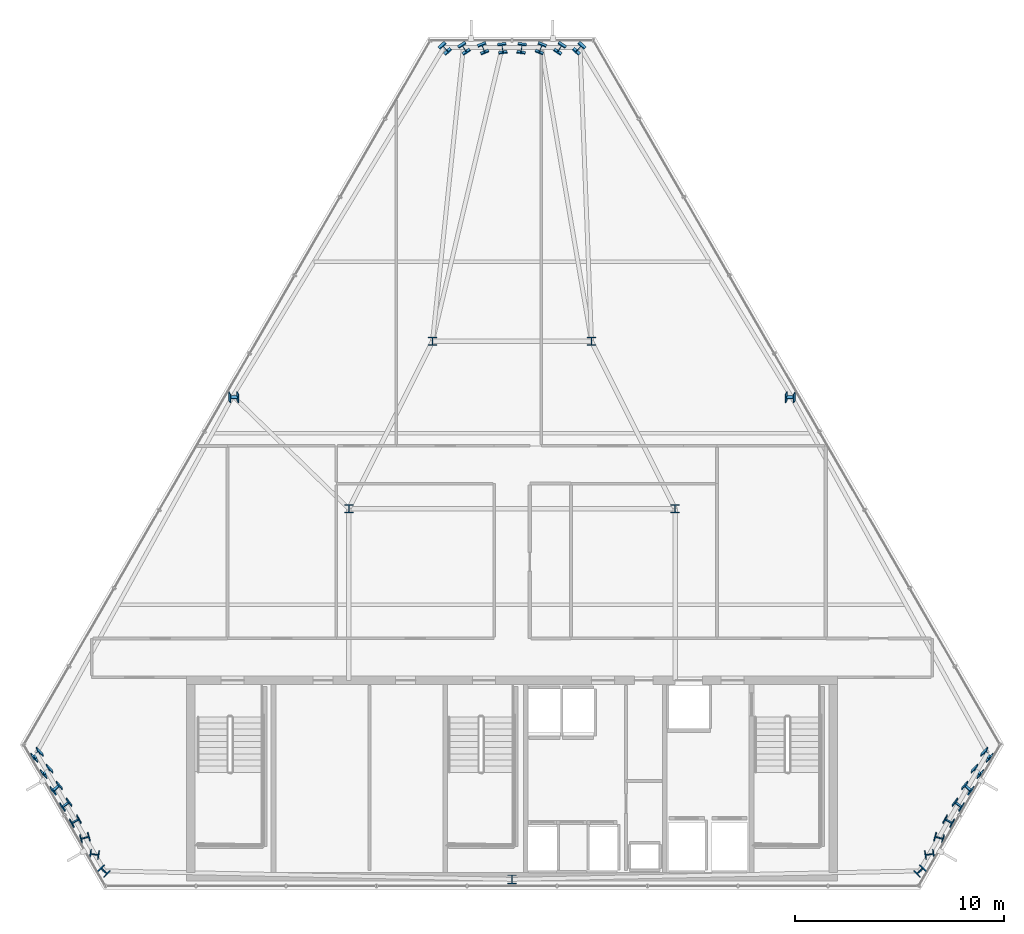
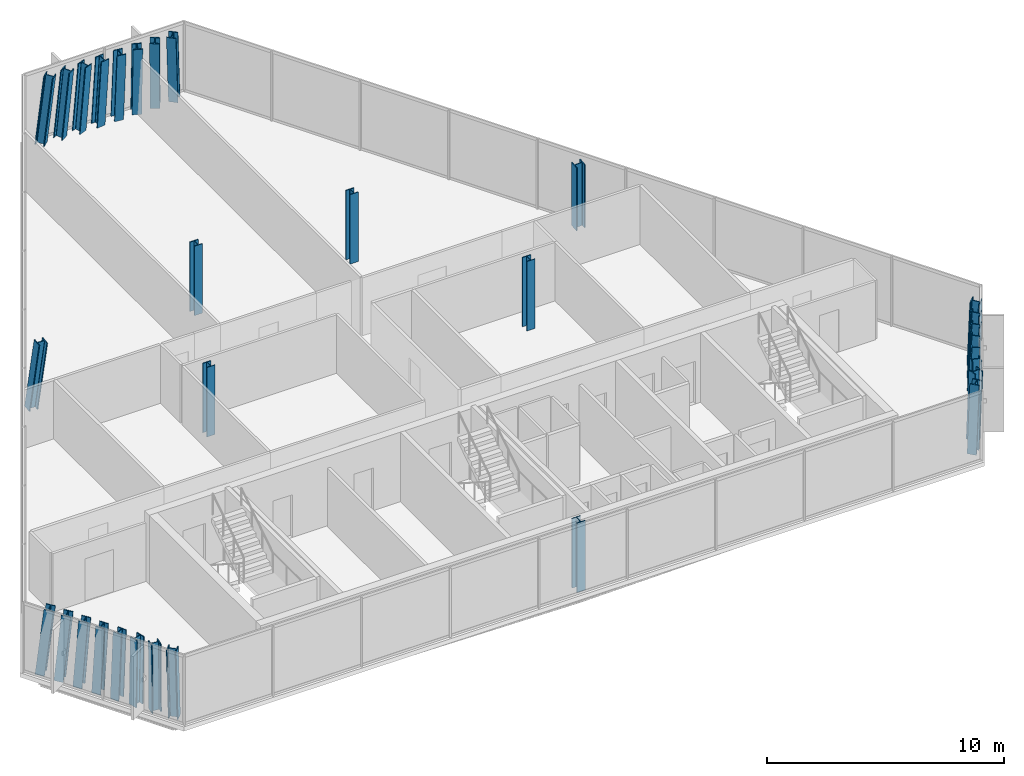
# One storey, part 1 of 30: 31 columns.
"""IFC4 building model written with IfcOpenShell, lengths in metres."""

import ifcopenshell
import ifcopenshell.guid

model = None  # the IFC model being written
_history = None  # IfcOwnerHistory: only IFC2X3 demands one
_inside = {}  # id of a spatial element -> (the spatial element, [elements in it])
_under = {}  # id of a project, library or spatial element -> (it, [spatial elements below it])
_declared = {}  # id of a project -> (the project, [libraries it declares])
_typed = {}  # id of a type object -> (the type object, [elements of that type])
_made_of = {}  # id of a material, layer set ... -> (it, [elements and type objects made of it])


def new_model(schema):
    """Start an empty IFC model of exactly this schema.

    Asked for "IFC4X3", IfcOpenShell would pick the latest addendum, in which some entities
    have other attributes; the version numbers below select the first issue.
    IFC2X3 requires an IfcOwnerHistory on every rooted entity: one is made here for all.
    """
    global model, _history
    if schema == "IFC4X3":
        model = ifcopenshell.file(schema_version=(4, 3, 0, 0))
    else:
        model = ifcopenshell.file(schema=schema)
    _inside.clear()
    _under.clear()
    _declared.clear()
    _typed.clear()
    _made_of.clear()
    _history = None
    if model.schema == "IFC2X3":
        org = make("IfcOrganization", Name="unknown")
        user = make(
            "IfcPersonAndOrganization",
            ThePerson=make("IfcPerson", FamilyName="unknown"),
            TheOrganization=org,
        )
        app = make(
            "IfcApplication",
            ApplicationDeveloper=org,
            Version="unknown",
            ApplicationFullName="unknown",
            ApplicationIdentifier="unknown",
        )
        _history = make(
            "IfcOwnerHistory",
            OwningUser=user,
            OwningApplication=app,
            ChangeAction="ADDED",
            CreationDate=0,
        )
    return model


def make(cls, **values):
    """One entity of the class cls with the attributes given. An attribute that is None is left unset."""
    return model.create_entity(
        cls, **{name: value for name, value in values.items() if value is not None}
    )


def rooted(cls, **values):
    """An entity with a GlobalId (a new one), such as an element, a storey or a relation."""
    return make(cls, GlobalId=ifcopenshell.guid.new(), OwnerHistory=_history, **values)


def si_unit(unit_type, name, prefix=None):
    """IfcSIUnit, for example si_unit("LENGTHUNIT", "METRE", prefix="MILLI")."""
    return make("IfcSIUnit", UnitType=unit_type, Prefix=prefix, Name=name)


def assignment(units):
    """IfcUnitAssignment: the units of a project."""
    return None if units is None else make("IfcUnitAssignment", Units=units)


def point(xyz):
    """IfcCartesianPoint."""
    return None if xyz is None else make("IfcCartesianPoint", Coordinates=xyz)


def direction(xyz):
    """IfcDirection."""
    return None if xyz is None else make("IfcDirection", DirectionRatios=xyz)


def frame(location, z_axis=None, x_axis=None):
    """IfcAxis2Placement3D, a coordinate frame: its origin and axes. An axis left out is left unset."""
    return make(
        "IfcAxis2Placement3D",
        Location=point(location),
        Axis=direction(z_axis),
        RefDirection=direction(x_axis),
    )


def frame_2d(location, x_axis=None):
    """IfcAxis2Placement2D, a coordinate frame in the plane: its origin and x axis."""
    return make(
        "IfcAxis2Placement2D", Location=point(location), RefDirection=direction(x_axis)
    )


def origin():
    """The frame at (0, 0, 0) with its axes left unset."""
    return frame((0.0, 0.0, 0.0))


def origin_2d():
    """The frame at (0, 0) in the plane with its x axis left unset."""
    return frame_2d((0.0, 0.0))


def place(relative_to, where):
    """IfcLocalPlacement: puts the frame where relative to a parent placement (None: the world)."""
    return make(
        "IfcLocalPlacement", PlacementRelTo=relative_to, RelativePlacement=where
    )


def context(
    kind, dimensions, precision=None, world=None, true_north=None, identifier=None
):
    """IfcGeometricRepresentationContext, for example the 3D "Model" context."""
    return make(
        "IfcGeometricRepresentationContext",
        ContextIdentifier=identifier,
        ContextType=kind,
        CoordinateSpaceDimension=dimensions,
        Precision=precision,
        WorldCoordinateSystem=world,
        TrueNorth=true_north,
    )


def subcontext(parent, identifier, kind, view, scale=None):
    """IfcGeometricRepresentationSubContext, for example "Body" below "Model"."""
    return make(
        "IfcGeometricRepresentationSubContext",
        ContextIdentifier=identifier,
        ContextType=kind,
        ParentContext=parent,
        TargetScale=scale,
        TargetView=view,
    )


def project(units=None, contexts=None):
    """IfcProject with its units and contexts."""
    return rooted(
        "IfcProject",
        Name="project",
        RepresentationContexts=contexts,
        UnitsInContext=assignment(units),
    )


def spatial(cls, under=None, at=None, **own):
    """A site, building, storey or space (cls), placed at a placement, below another one or the project."""
    s = rooted(cls, ObjectPlacement=at, **own)
    if under is not None:
        _under.setdefault(under.id(), (under, []))[1].append(s)
    return s


def profile(cls, at=None, kind="AREA", **sizes):
    """A parametric profile (cls). Its sizes go by their IFC names, for example OverallWidth=200.0."""
    return make(cls, ProfileType=kind, Position=at, **sizes)


def i_section(**sizes):
    """IfcIShapeProfileDef."""
    return profile("IfcIShapeProfileDef", **sizes)


def extrude(swept, where, along, depth):
    """IfcExtrudedAreaSolid: the profile swept, set in the frame where, extruded along a direction by depth."""
    return make(
        "IfcExtrudedAreaSolid",
        SweptArea=swept,
        Position=where,
        ExtrudedDirection=direction(along),
        Depth=depth,
    )


def shape(context_of_items, identifier, shape_type, items):
    """IfcShapeRepresentation: the items that make up one representation, for example the "Body"."""
    return make(
        "IfcShapeRepresentation",
        ContextOfItems=context_of_items,
        RepresentationIdentifier=identifier,
        RepresentationType=shape_type,
        Items=items,
    )


def material(Name=None, Category=None):
    """IfcMaterial."""
    return make("IfcMaterial", Name=Name, Category=Category)


def material_profile(
    of_material, cross_section, Name=None, Category=None, Priority=None
):
    """IfcMaterialProfile: a cross section and its material."""
    return make(
        "IfcMaterialProfile",
        Name=Name,
        Material=of_material,
        Profile=cross_section,
        Priority=Priority,
        Category=Category,
    )


def profile_set(profiles, Name=None, composite=None):
    """IfcMaterialProfileSet."""
    return make(
        "IfcMaterialProfileSet",
        Name=Name,
        MaterialProfiles=profiles,
        CompositeProfile=composite,
    )


def made_of(thing, what):
    """Note that an element or type object is made of a material, layer set ...; save() writes the relation."""
    if what is not None:
        _made_of.setdefault(what.id(), (what, []))[1].append(thing)
    return thing


def type_object(cls, material=None, **own):
    """A type object (cls), such as IfcWallType, which elements share."""
    return made_of(rooted(cls, **own), material)


def element(
    cls,
    number,
    at=None,
    inside=None,
    cuts=None,
    type_object=None,
    material=None,
    context=None,
    identifier="Body",
    shape_type=None,
    held_by="IfcProductDefinitionShape",
    body=None,
    shapes=None,
    **own,
):
    """One element of the class cls, such as IfcWall. Its Tag is "e" and its number.

    at: its placement. inside: the storey or other place that contains it. cuts: it is an
    opening in that element (IfcRelVoidsElement). A single representation is given by context,
    identifier, shape_type and body (its items); several are given by shapes. held_by: the class
    of the entity that holds the representations. save() writes the other relations.
    """
    e = rooted(cls, Tag="e%d" % number, ObjectPlacement=at, **own)
    if body is not None:
        shapes = [shape(context, identifier, shape_type, body)]
    if shapes is not None:
        e.Representation = make(held_by, Representations=shapes)
    if inside is not None:
        _inside.setdefault(inside.id(), (inside, []))[1].append(e)
    if cuts is not None:
        rooted(
            "IfcRelVoidsElement", RelatingBuildingElement=cuts, RelatedOpeningElement=e
        )
    if type_object is not None:
        _typed.setdefault(type_object.id(), (type_object, []))[1].append(e)
    return made_of(e, material)


def aggregate(whole, parts):
    """IfcRelAggregates: a whole, such as a stair, and the parts it consists of."""
    return rooted("IfcRelAggregates", RelatingObject=whole, RelatedObjects=parts)


def save(model, path):
    """Write the relations noted so far, then the file.

    IfcRelAggregates (storeys below a building ...), IfcRelContainedInSpatialStructure (elements
    in a storey), IfcRelDefinesByType, IfcRelAssociatesMaterial and IfcRelDeclares: one each for
    every whole, place, type object, material and project.
    """
    for whole, parts in _under.values():
        aggregate(whole, parts)
    for where, things in _inside.values():
        rooted(
            "IfcRelContainedInSpatialStructure",
            RelatedElements=things,
            RelatingStructure=where,
        )
    for kind, things in _typed.values():
        rooted("IfcRelDefinesByType", RelatedObjects=things, RelatingType=kind)
    for what, things in _made_of.values():
        rooted("IfcRelAssociatesMaterial", RelatedObjects=things, RelatingMaterial=what)
    for by, libraries in _declared.values():
        rooted("IfcRelDeclares", RelatingContext=by, RelatedDefinitions=libraries)
    model.write(path)


model = new_model("IFC4")

# Units and contexts
model_context = context("Model", 3, precision=1e-05, world=origin(), true_north=direction((0.0, 1.0)))
body_context = subcontext(model_context, "Body", "Model", "MODEL_VIEW")
ifc_project = project(units=[si_unit("LENGTHUNIT", "METRE"), si_unit("AREAUNIT", "SQUARE_METRE"), si_unit("VOLUMEUNIT", "CUBIC_METRE"), si_unit("PLANEANGLEUNIT", "RADIAN"), si_unit("MASSUNIT", "GRAM", prefix="KILO")], contexts=[model_context])

# Site, building, storey
site_placement = place(None, origin())
site = spatial("IfcSite", under=ifc_project, at=site_placement, CompositionType="ELEMENT")
building_placement = place(site_placement, origin())
building = spatial("IfcBuilding", under=site, at=building_placement, Name="Ndaravel Arena Tower", CompositionType="ELEMENT")
storey_placement = place(building_placement, frame((0.0, 0.0, 225.60009765625)))
storey = spatial("IfcBuildingStorey", under=building, at=storey_placement, Name="L54", CompositionType="ELEMENT", Elevation=225.60009765625)

# Columns
ifc_material_1 = material(Name="Steel S355", Category="steel")
ifc_material_profile_1 = material_profile(ifc_material_1, i_section(OverallWidth=0.39892578125, OverallDepth=0.3935546875, WebThickness=0.022705078125, FlangeThickness=0.03662109375, FilletRadius=0.01513671875, at=origin_2d()), Name="UC 356x406x287")
ifc_profile_set_1 = profile_set([ifc_material_profile_1], Name="Steel S355")
column_type_1 = type_object("IfcColumnType", Name="COL-INT-UC287", PredefinedType="COLUMN", material=ifc_profile_set_1)
for number, where, z_axis, x_axis, name in (
    (1, (34.199951171875, 23.199951171875, 0.0), (0.0, 0.0, 1.0), (1.0, 0.0, 0.0), "L54 Interior Spine Column IC-01"),
    (2, (49.800048828125, 23.199951171875, 0.0), (0.0, 0.0, 1.0), (1.0, 0.0, 0.0), "L54 Interior Spine Column IC-02"),
    (3, (38.199951171875, 31.199951171875, 0.0), (0.0, 0.0, 1.0), (1.0, 0.0, 0.0), "L54 Interior Spine Column IC-03"),
    (4, (45.800048828125, 31.199951171875, 0.0), (0.0, 0.0, 1.0), (1.0, 0.0, 0.0), "L54 Interior Spine Column IC-04"),
):
    element("IfcColumn", number, at=place(storey_placement, frame(where, z_axis=z_axis, x_axis=x_axis)), inside=storey, type_object=column_type_1, Name=name, PredefinedType="COLUMN", context=body_context, shape_type="SweptSolid", body=[
        extrude(i_section(OverallWidth=0.39892578125, OverallDepth=0.3935546875, WebThickness=0.022705078125, FlangeThickness=0.03662109375, FilletRadius=0.01513671875, at=origin_2d()), origin(), (0.0, 0.0, 1.0), 3.579833984375),
    ])
ifc_material_2 = material(Name="Steel S355", Category="steel")
ifc_material_profile_2 = material_profile(ifc_material_2, i_section(OverallWidth=0.412109375, OverallDepth=0.43505859375, WebThickness=0.035888671875, FlangeThickness=0.0439453125, FilletRadius=0.014892578125, at=origin_2d()), Name="HD 400x463")
ifc_profile_set_2 = profile_set([ifc_material_profile_2], Name="Steel S355")
column_type_2 = type_object("IfcColumnType", Name="COL-TUBE-HD463", PredefinedType="COLUMN", material=ifc_profile_set_2)
column_1_placement = place(storey_placement, frame((42.0, 5.47998046875, 0.0), z_axis=(0.0, 0.0, 1.0), x_axis=(1.0, 0.0, 0.0)))
element("IfcColumn", 5, at=column_1_placement, inside=storey, type_object=column_type_2, Name="L54 Framed Tube Column TC-01", PredefinedType="COLUMN", context=body_context, shape_type="SweptSolid", body=[
    extrude(i_section(OverallWidth=0.412109375, OverallDepth=0.43505859375, WebThickness=0.035888671875, FlangeThickness=0.0439453125, FilletRadius=0.014892578125, at=origin_2d()), origin(), (0.0, 0.0, 1.0), 3.579833984375),
])
column_2_placement = place(storey_placement, frame((61.48095703125, 5.88232421875, 0.0), z_axis=(0.032512304467, -0.009133435637, 0.999429602529), x_axis=(-0.69804908245, 0.715452392755, 0.029246404757)))
element("IfcColumn", 6, at=column_2_placement, inside=storey, type_object=column_type_2, Name="L54 Framed Tube Column TC-02", PredefinedType="COLUMN", context=body_context, shape_type="SweptSolid", body=[
    extrude(i_section(OverallWidth=0.412109375, OverallDepth=0.43505859375, WebThickness=0.035888671875, FlangeThickness=0.0439453125, FilletRadius=0.014892578125, at=origin_2d()), origin(), (0.0, 0.0, 1.0), 3.581787109375),
])
column_3_placement = place(storey_placement, frame((61.945556640625, 6.687255859375, 0.0), z_axis=(0.022014623846, -0.02739900553, 0.999382134538), x_axis=(-0.152327641316, 0.987861213843, 0.030438657581)))
element("IfcColumn", 7, at=column_3_placement, inside=storey, type_object=column_type_2, Name="L54 Framed Tube Column TC-03", PredefinedType="COLUMN", context=body_context, shape_type="SweptSolid", body=[
    extrude(i_section(OverallWidth=0.412109375, OverallDepth=0.43505859375, WebThickness=0.035888671875, FlangeThickness=0.0439453125, FilletRadius=0.014892578125, at=origin_2d()), origin(), (0.0, 0.0, 1.0), 3.58203125),
])
column_4_placement = place(storey_placement, frame((62.41015625, 7.491943359375, 0.0), z_axis=(0.011444718102, -0.045642625765, 0.998892271039), x_axis=(0.274587327315, 0.96069824947, 0.040751357577)))
element("IfcColumn", 8, at=column_4_placement, inside=storey, type_object=column_type_2, Name="L54 Framed Tube Column TC-04", PredefinedType="COLUMN", context=body_context, shape_type="SweptSolid", body=[
    extrude(i_section(OverallWidth=0.412109375, OverallDepth=0.43505859375, WebThickness=0.035888671875, FlangeThickness=0.0439453125, FilletRadius=0.014892578125, at=origin_2d()), origin(), (0.0, 0.0, 1.0), 3.583740234375),
])
column_5_placement = place(storey_placement, frame((62.874755859375, 8.296630859375, 0.0), z_axis=(0.000884780272, -0.063772239608, 0.997964086838), x_axis=(0.487962206746, 0.871115448004, 0.055233694748)))
element("IfcColumn", 9, at=column_5_placement, inside=storey, type_object=column_type_2, Name="L54 Framed Tube Column TC-05", PredefinedType="COLUMN", context=body_context, shape_type="SweptSolid", body=[
    extrude(i_section(OverallWidth=0.412109375, OverallDepth=0.43505859375, WebThickness=0.035888671875, FlangeThickness=0.0439453125, FilletRadius=0.014892578125, at=origin_2d()), origin(), (0.0, 0.0, 1.0), 3.587158203125),
])
column_6_placement = place(storey_placement, frame((63.33935546875, 9.1015625, 0.0), z_axis=(-0.009651199464, -0.081967229252, 0.99658829397), x_axis=(0.597494419555, 0.798681156256, 0.071476074611)))
element("IfcColumn", 10, at=column_6_placement, inside=storey, type_object=column_type_2, Name="L54 Framed Tube Column TC-06", PredefinedType="COLUMN", context=body_context, shape_type="SweptSolid", body=[
    extrude(i_section(OverallWidth=0.412109375, OverallDepth=0.43505859375, WebThickness=0.035888671875, FlangeThickness=0.0439453125, FilletRadius=0.014892578125, at=origin_2d()), origin(), (0.0, 0.0, 1.0), 3.592041015625),
])
column_7_placement = place(storey_placement, frame((63.803955078125, 9.90625, 0.0), z_axis=(-0.020081583921, -0.100000860471, 0.99478467916), x_axis=(0.659830353691, 0.746204611865, 0.088332222777)))
element("IfcColumn", 11, at=column_7_placement, inside=storey, type_object=column_type_2, Name="L54 Framed Tube Column TC-07", PredefinedType="COLUMN", context=body_context, shape_type="SweptSolid", body=[
    extrude(i_section(OverallWidth=0.412109375, OverallDepth=0.43505859375, WebThickness=0.035888671875, FlangeThickness=0.0439453125, FilletRadius=0.014892578125, at=origin_2d()), origin(), (0.0, 0.0, 1.0), 3.5986328125),
])
column_8_placement = place(storey_placement, frame((64.268798828125, 10.7109375, 0.0), z_axis=(-0.030596538724, -0.117850827252, 0.99255983917), x_axis=(0.699960394522, 0.706354529858, 0.105445361441)))
element("IfcColumn", 12, at=column_8_placement, inside=storey, type_object=column_type_2, Name="L54 Framed Tube Column TC-08", PredefinedType="COLUMN", context=body_context, shape_type="SweptSolid", body=[
    extrude(i_section(OverallWidth=0.412109375, OverallDepth=0.43505859375, WebThickness=0.035888671875, FlangeThickness=0.0439453125, FilletRadius=0.014892578125, at=origin_2d()), origin(), (0.0, 0.0, 1.0), 3.606689453125),
])
column_9_placement = place(storey_placement, frame((64.7333984375, 11.515869140625, 0.0), z_axis=(-0.040911322599, -0.135695970997, 0.989905483942), x_axis=(0.726178262725, 0.676461219214, 0.122740986008)))
element("IfcColumn", 13, at=column_9_placement, inside=storey, type_object=column_type_2, Name="L54 Framed Tube Column TC-09", PredefinedType="COLUMN", context=body_context, shape_type="SweptSolid", body=[
    extrude(i_section(OverallWidth=0.412109375, OverallDepth=0.43505859375, WebThickness=0.035888671875, FlangeThickness=0.0439453125, FilletRadius=0.014892578125, at=origin_2d()), origin(), (0.0, 0.0, 1.0), 3.616455078125),
])
column_10_placement = place(storey_placement, frame((55.34130859375, 28.587890625, 0.0), z_axis=(-0.064916640707, -0.112454555725, 0.991534065303), x_axis=(-0.003725683455, 0.99365032646, 0.112450646988)))
element("IfcColumn", 14, at=column_10_placement, inside=storey, type_object=column_type_2, Name="L54 Framed Tube Column TC-10", PredefinedType="COLUMN", context=body_context, shape_type="SweptSolid", body=[
    extrude(i_section(OverallWidth=0.412109375, OverallDepth=0.43505859375, WebThickness=0.035888671875, FlangeThickness=0.0439453125, FilletRadius=0.014892578125, at=origin_2d()), origin(), (0.0, 0.0, 1.0), 3.6103515625),
])
column_11_placement = place(storey_placement, frame((45.25244140625, 45.2578125, 0.0), z_axis=(-0.073421459849, -0.080200911359, 0.994070974856), x_axis=(0.737593959285, -0.675244512178, 0.0)))
element("IfcColumn", 15, at=column_11_placement, inside=storey, type_object=column_type_2, Name="L54 Framed Tube Column TC-11", PredefinedType="COLUMN", context=body_context, shape_type="SweptSolid", body=[
    extrude(i_section(OverallWidth=0.412109375, OverallDepth=0.43505859375, WebThickness=0.035888671875, FlangeThickness=0.0439453125, FilletRadius=0.014892578125, at=origin_2d()), origin(), (0.0, 0.0, 1.0), 3.60107421875),
])
column_12_placement = place(storey_placement, frame((44.3232421875, 45.2578125, 0.0), z_axis=(-0.052474588261, -0.080307164182, 0.995387952995), x_axis=(0.837131636579, -0.54700148358, 0.0)))
element("IfcColumn", 16, at=column_12_placement, inside=storey, type_object=column_type_2, Name="L54 Framed Tube Column TC-12", PredefinedType="COLUMN", context=body_context, shape_type="SweptSolid", body=[
    extrude(i_section(OverallWidth=0.412109375, OverallDepth=0.43505859375, WebThickness=0.035888671875, FlangeThickness=0.0439453125, FilletRadius=0.014892578125, at=origin_2d()), origin(), (0.0, 0.0, 1.0), 3.596435546875),
])
column_13_placement = place(storey_placement, frame((43.393798828125, 45.2578125, 0.0), z_axis=(-0.031526107697, -0.080377985787, 0.996265769729), x_axis=(0.930952218827, -0.365141022431, 0.0)))
element("IfcColumn", 17, at=column_13_placement, inside=storey, type_object=column_type_2, Name="L54 Framed Tube Column TC-13", PredefinedType="COLUMN", context=body_context, shape_type="SweptSolid", body=[
    extrude(i_section(OverallWidth=0.412109375, OverallDepth=0.43505859375, WebThickness=0.035888671875, FlangeThickness=0.0439453125, FilletRadius=0.014892578125, at=origin_2d()), origin(), (0.0, 0.0, 1.0), 3.59326171875),
])
for number, where, z_axis, x_axis, name in (
    (18, (42.464599609375, 45.2578125, 0.0), (-0.010468036489, -0.080413553032, 0.996706617165), (0.991633098704, -0.129088332376, 0.0), "L54 Framed Tube Column TC-14"),
    (19, (41.535400390625, 45.2578125, 0.0), (0.010468036489, -0.080413553032, 0.996706617165), (0.991633098704, 0.129088332376, 0.0), "L54 Framed Tube Column TC-15"),
):
    element("IfcColumn", number, at=place(storey_placement, frame(where, z_axis=z_axis, x_axis=x_axis)), inside=storey, type_object=column_type_2, Name=name, PredefinedType="COLUMN", context=body_context, shape_type="SweptSolid", body=[
        extrude(i_section(OverallWidth=0.412109375, OverallDepth=0.43505859375, WebThickness=0.035888671875, FlangeThickness=0.0439453125, FilletRadius=0.014892578125, at=origin_2d()), origin(), (0.0, 0.0, 1.0), 3.591552734375),
    ])
column_14_placement = place(storey_placement, frame((40.606201171875, 45.2578125, 0.0), z_axis=(0.031526107697, -0.080377985787, 0.996265769729), x_axis=(0.930952218827, 0.365141022431, 0.0)))
element("IfcColumn", 20, at=column_14_placement, inside=storey, type_object=column_type_2, Name="L54 Framed Tube Column TC-16", PredefinedType="COLUMN", context=body_context, shape_type="SweptSolid", body=[
    extrude(i_section(OverallWidth=0.412109375, OverallDepth=0.43505859375, WebThickness=0.035888671875, FlangeThickness=0.0439453125, FilletRadius=0.014892578125, at=origin_2d()), origin(), (0.0, 0.0, 1.0), 3.59326171875),
])
column_15_placement = place(storey_placement, frame((39.6767578125, 45.2578125, 0.0), z_axis=(0.052474588261, -0.080307164182, 0.995387952995), x_axis=(0.837131636579, 0.54700148358, 0.0)))
element("IfcColumn", 21, at=column_15_placement, inside=storey, type_object=column_type_2, Name="L54 Framed Tube Column TC-17", PredefinedType="COLUMN", context=body_context, shape_type="SweptSolid", body=[
    extrude(i_section(OverallWidth=0.412109375, OverallDepth=0.43505859375, WebThickness=0.035888671875, FlangeThickness=0.0439453125, FilletRadius=0.014892578125, at=origin_2d()), origin(), (0.0, 0.0, 1.0), 3.596435546875),
])
column_16_placement = place(storey_placement, frame((38.74755859375, 45.2578125, 0.0), z_axis=(0.073421459849, -0.080200911359, 0.994070974856), x_axis=(0.737593959285, 0.675244512178, 0.0)))
element("IfcColumn", 22, at=column_16_placement, inside=storey, type_object=column_type_2, Name="L54 Framed Tube Column TC-18", PredefinedType="COLUMN", context=body_context, shape_type="SweptSolid", body=[
    extrude(i_section(OverallWidth=0.412109375, OverallDepth=0.43505859375, WebThickness=0.035888671875, FlangeThickness=0.0439453125, FilletRadius=0.014892578125, at=origin_2d()), origin(), (0.0, 0.0, 1.0), 3.60107421875),
])
column_17_placement = place(storey_placement, frame((28.65869140625, 28.587890625, 0.0), z_axis=(0.064916640707, -0.112454555725, 0.991534065303), x_axis=(0.003725683455, 0.99365032646, 0.112450646988)))
element("IfcColumn", 23, at=column_17_placement, inside=storey, type_object=column_type_2, Name="L54 Framed Tube Column TC-19", PredefinedType="COLUMN", context=body_context, shape_type="SweptSolid", body=[
    extrude(i_section(OverallWidth=0.412109375, OverallDepth=0.43505859375, WebThickness=0.035888671875, FlangeThickness=0.0439453125, FilletRadius=0.014892578125, at=origin_2d()), origin(), (0.0, 0.0, 1.0), 3.6103515625),
])
column_18_placement = place(storey_placement, frame((19.2666015625, 11.515869140625, 0.0), z_axis=(0.040911322599, -0.135695970997, 0.989905483942), x_axis=(-0.726178262725, 0.676461219214, 0.122740986008)))
element("IfcColumn", 24, at=column_18_placement, inside=storey, type_object=column_type_2, Name="L54 Framed Tube Column TC-20", PredefinedType="COLUMN", context=body_context, shape_type="SweptSolid", body=[
    extrude(i_section(OverallWidth=0.412109375, OverallDepth=0.43505859375, WebThickness=0.035888671875, FlangeThickness=0.0439453125, FilletRadius=0.014892578125, at=origin_2d()), origin(), (0.0, 0.0, 1.0), 3.616455078125),
])
column_19_placement = place(storey_placement, frame((19.731201171875, 10.7109375, 0.0), z_axis=(0.030596538724, -0.117850827252, 0.99255983917), x_axis=(-0.699960394522, 0.706354529858, 0.105445361441)))
element("IfcColumn", 25, at=column_19_placement, inside=storey, type_object=column_type_2, Name="L54 Framed Tube Column TC-21", PredefinedType="COLUMN", context=body_context, shape_type="SweptSolid", body=[
    extrude(i_section(OverallWidth=0.412109375, OverallDepth=0.43505859375, WebThickness=0.035888671875, FlangeThickness=0.0439453125, FilletRadius=0.014892578125, at=origin_2d()), origin(), (0.0, 0.0, 1.0), 3.606689453125),
])
column_20_placement = place(storey_placement, frame((20.196044921875, 9.90625, 0.0), z_axis=(0.020081583921, -0.100000860471, 0.99478467916), x_axis=(-0.659830353691, 0.746204611865, 0.088332222777)))
element("IfcColumn", 26, at=column_20_placement, inside=storey, type_object=column_type_2, Name="L54 Framed Tube Column TC-22", PredefinedType="COLUMN", context=body_context, shape_type="SweptSolid", body=[
    extrude(i_section(OverallWidth=0.412109375, OverallDepth=0.43505859375, WebThickness=0.035888671875, FlangeThickness=0.0439453125, FilletRadius=0.014892578125, at=origin_2d()), origin(), (0.0, 0.0, 1.0), 3.5986328125),
])
column_21_placement = place(storey_placement, frame((20.66064453125, 9.1015625, 0.0), z_axis=(0.009651199464, -0.081967229252, 0.99658829397), x_axis=(-0.597494419555, 0.798681156256, 0.071476074611)))
element("IfcColumn", 27, at=column_21_placement, inside=storey, type_object=column_type_2, Name="L54 Framed Tube Column TC-23", PredefinedType="COLUMN", context=body_context, shape_type="SweptSolid", body=[
    extrude(i_section(OverallWidth=0.412109375, OverallDepth=0.43505859375, WebThickness=0.035888671875, FlangeThickness=0.0439453125, FilletRadius=0.014892578125, at=origin_2d()), origin(), (0.0, 0.0, 1.0), 3.592041015625),
])
column_22_placement = place(storey_placement, frame((21.125244140625, 8.296630859375, 0.0), z_axis=(-0.000884780272, -0.063772239608, 0.997964086838), x_axis=(-0.487962206746, 0.871115448004, 0.055233694748)))
element("IfcColumn", 28, at=column_22_placement, inside=storey, type_object=column_type_2, Name="L54 Framed Tube Column TC-24", PredefinedType="COLUMN", context=body_context, shape_type="SweptSolid", body=[
    extrude(i_section(OverallWidth=0.412109375, OverallDepth=0.43505859375, WebThickness=0.035888671875, FlangeThickness=0.0439453125, FilletRadius=0.014892578125, at=origin_2d()), origin(), (0.0, 0.0, 1.0), 3.587158203125),
])
column_23_placement = place(storey_placement, frame((21.58984375, 7.491943359375, 0.0), z_axis=(-0.011444718102, -0.045642625765, 0.998892271039), x_axis=(-0.274587327315, 0.96069824947, 0.040751357577)))
element("IfcColumn", 29, at=column_23_placement, inside=storey, type_object=column_type_2, Name="L54 Framed Tube Column TC-25", PredefinedType="COLUMN", context=body_context, shape_type="SweptSolid", body=[
    extrude(i_section(OverallWidth=0.412109375, OverallDepth=0.43505859375, WebThickness=0.035888671875, FlangeThickness=0.0439453125, FilletRadius=0.014892578125, at=origin_2d()), origin(), (0.0, 0.0, 1.0), 3.583740234375),
])
column_24_placement = place(storey_placement, frame((22.054443359375, 6.687255859375, 0.0), z_axis=(-0.022014623846, -0.02739900553, 0.999382134538), x_axis=(0.152327641316, 0.987861213843, 0.030438657581)))
element("IfcColumn", 30, at=column_24_placement, inside=storey, type_object=column_type_2, Name="L54 Framed Tube Column TC-26", PredefinedType="COLUMN", context=body_context, shape_type="SweptSolid", body=[
    extrude(i_section(OverallWidth=0.412109375, OverallDepth=0.43505859375, WebThickness=0.035888671875, FlangeThickness=0.0439453125, FilletRadius=0.014892578125, at=origin_2d()), origin(), (0.0, 0.0, 1.0), 3.58203125),
])
column_25_placement = place(storey_placement, frame((22.51904296875, 5.88232421875, 0.0), z_axis=(-0.032512304467, -0.009133435637, 0.999429602529), x_axis=(0.69804908245, 0.715452392755, 0.029246404757)))
element("IfcColumn", 31, at=column_25_placement, inside=storey, type_object=column_type_2, Name="L54 Framed Tube Column TC-27", PredefinedType="COLUMN", context=body_context, shape_type="SweptSolid", body=[
    extrude(i_section(OverallWidth=0.412109375, OverallDepth=0.43505859375, WebThickness=0.035888671875, FlangeThickness=0.0439453125, FilletRadius=0.014892578125, at=origin_2d()), origin(), (0.0, 0.0, 1.0), 3.581787109375),
])

save(model, "model.ifc")
